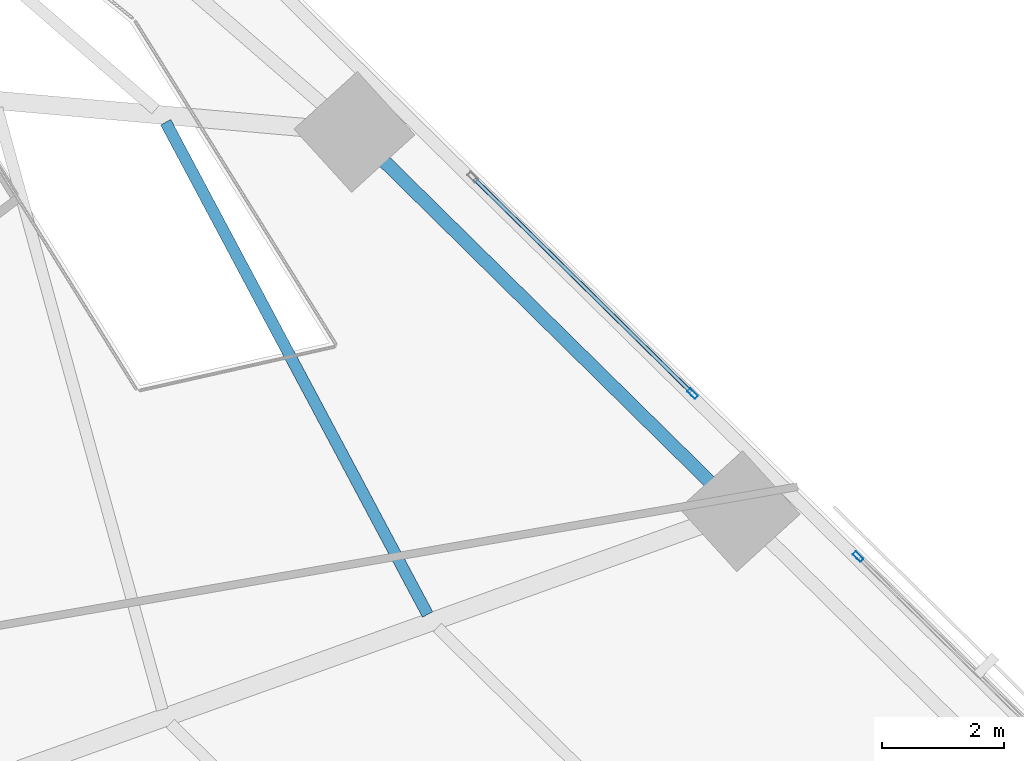
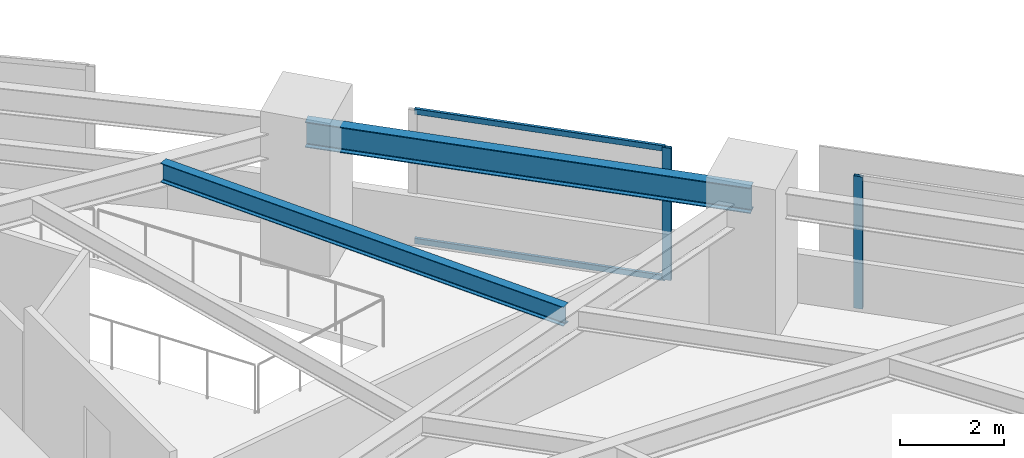
# One storey, part 6 of 17: 4 members, 2 beams, 2 elements without a shape of their own.
"""IFC4 building model written with IfcOpenShell, lengths in metres."""

from ifc_helpers import new_model, si_unit, direction, frame, origin, origin_2d, place, context, subcontext, project, spatial, hollow_rectangle, i_section, extrude, material, material_profile, profile_set, type_object, element, aggregate, save


model = new_model("IFC4")

# Units and contexts
model_context = context("Model", 3, precision=1e-05, world=origin(), true_north=direction((0.0, 1.0)))
body_context = subcontext(model_context, "Body", "Model", "MODEL_VIEW")
ifc_project = project(units=[si_unit("LENGTHUNIT", "METRE"), si_unit("AREAUNIT", "SQUARE_METRE"), si_unit("VOLUMEUNIT", "CUBIC_METRE"), si_unit("PLANEANGLEUNIT", "RADIAN"), si_unit("MASSUNIT", "GRAM", prefix="KILO")], contexts=[model_context])

# Site, building, storey
site_placement = place(None, origin())
site = spatial("IfcSite", under=ifc_project, at=site_placement, CompositionType="ELEMENT")
building_placement = place(site_placement, origin())
building = spatial("IfcBuilding", under=site, at=building_placement, Name="Narakoshi Arena Tower", CompositionType="ELEMENT")
storey_placement = place(building_placement, frame((0.0, 0.0, 55.5)))
storey = spatial("IfcBuildingStorey", under=building, at=storey_placement, Name="L14", CompositionType="ELEMENT", Elevation=55.5)

# Beams
ifc_material_1 = material(Name="Structural steel S355J2", Category="steel")
ifc_material_profile_1 = material_profile(ifc_material_1, i_section(OverallWidth=0.219970703125, OverallDepth=0.60009765625, WebThickness=0.011962890625, FlangeThickness=0.01904296875, FilletRadius=0.02392578125, at=origin_2d()), Name="IPE600")
ifc_profile_set_1 = profile_set([ifc_material_profile_1], Name="Structural steel S355J2")
beam_type_1 = type_object("IfcBeamType", Name="BM-EDGE-600", PredefinedType="BEAM", material=ifc_profile_set_1)
beam_1_placement = place(storey_placement, frame((102.345458984375, 49.373779296875, 2.800048828125), z_axis=(-0.712540689328, 0.70163079041, 0.0), x_axis=(-0.70163079041, -0.712540689328, 0.0)))
element("IfcBeam", 1, at=beam_1_placement, inside=storey, type_object=beam_type_1, Name="L14 Perimeter Edge Girder 07", PredefinedType="BEAM", context=body_context, shape_type="SweptSolid", body=[
    extrude(i_section(OverallWidth=0.219970703125, OverallDepth=0.60009765625, WebThickness=0.011962890625, FlangeThickness=0.01904296875, FilletRadius=0.02392578125, at=origin_2d()), origin(), (0.0, 0.0, 1.0), 8.83935546875),
])
ifc_material_profile_2 = material_profile(ifc_material_1, i_section(OverallWidth=0.18994140625, OverallDepth=0.449951171875, WebThickness=0.009521484375, FlangeThickness=0.0146484375, FilletRadius=0.02099609375, at=origin_2d()), Name="IPE450")
ifc_profile_set_2 = profile_set([ifc_material_profile_2], Name="Structural steel S355J2")
beam_type_2 = type_object("IfcBeamType", Name="BM-SEC-450", PredefinedType="JOIST", material=ifc_profile_set_2)
beam_2_placement = place(storey_placement, frame((97.243408203125, 47.685791015625, 2.875), z_axis=(-0.469726223078, 0.882812140465, 0.0), x_axis=(-0.882812140465, -0.469726223078, 0.0)))
element("IfcBeam", 2, at=beam_2_placement, inside=storey, type_object=beam_type_2, Name="L14 Composite Secondary Floor Joist 08", PredefinedType="JOIST", context=body_context, shape_type="SweptSolid", body=[
    extrude(i_section(OverallWidth=0.18994140625, OverallDepth=0.449951171875, WebThickness=0.009521484375, FlangeThickness=0.0146484375, FilletRadius=0.02099609375, at=origin_2d()), origin(), (0.0, 0.0, 1.0), 9.116455078125),
])

# Curtain wall, member
ifc_material_2 = material(Name="Anodised bronze aluminium 6063-T6", Category="aluminium")
curtain_wall_type = type_object("IfcCurtainWallType", Name="CW-HYP-LOW", PredefinedType="NOTDEFINED", material=ifc_material_2)
curtain_wall_1_placement = place(storey_placement, origin())
curtain_wall_1 = element("IfcCurtainWall", 3, at=curtain_wall_1_placement, inside=storey, type_object=curtain_wall_type, Name="L14 Folded Hypotenuse Curtain Wall 1-3", PredefinedType="NOTDEFINED")
ifc_material_profile_3 = material_profile(ifc_material_2, hollow_rectangle(XDim=0.074951171875, YDim=0.179931640625, WallThickness=0.00390625, OuterFilletRadius=0.0048828125, at=origin_2d()), Name="MUL180x75x4")
ifc_profile_set_3 = profile_set([ifc_material_profile_3], Name="Anodised bronze aluminium 6063-T6")
member_type_1 = type_object("IfcMemberType", Name="MEM-MUL-180", PredefinedType="MULLION", material=ifc_profile_set_3)
member_1_placement = place(storey_placement, frame((104.280517578125, 48.63330078125, 0.0), z_axis=(0.0, 0.0, 1.0), x_axis=(-0.701632802488, -0.712538708053, 0.0)))
member_1 = element("IfcMember", 4, at=member_1_placement, type_object=member_type_1, Name="CW-01 mullion 2", PredefinedType="MULLION", context=body_context, shape_type="SweptSolid", body=[
    extrude(hollow_rectangle(XDim=0.074951171875, YDim=0.179931640625, WallThickness=0.00390625, OuterFilletRadius=0.0048828125, at=origin_2d()), origin(), (0.0, 0.0, 1.0), 3.10009765625),
])
aggregate(curtain_wall_1, [member_1])

# Curtain wall, members
curtain_wall_2_placement = place(storey_placement, origin())
curtain_wall_2 = element("IfcCurtainWall", 5, at=curtain_wall_2_placement, inside=storey, type_object=curtain_wall_type, Name="L14 Folded Hypotenuse Curtain Wall 1-4", PredefinedType="NOTDEFINED")
member_2_placement = place(storey_placement, frame((101.574462890625, 51.2978515625, 0.0), z_axis=(0.0, 0.0, 1.0), x_axis=(-0.701632802488, -0.712538708053, 0.0)))
member_2 = element("IfcMember", 6, at=member_2_placement, type_object=member_type_1, Name="CW-01 mullion 1", PredefinedType="MULLION", context=body_context, shape_type="SweptSolid", body=[
    extrude(hollow_rectangle(XDim=0.074951171875, YDim=0.179931640625, WallThickness=0.00390625, OuterFilletRadius=0.0048828125, at=origin_2d()), origin(), (0.0, 0.0, 1.0), 3.10009765625),
])
ifc_material_profile_4 = material_profile(ifc_material_2, hollow_rectangle(XDim=0.06494140625, YDim=0.1298828125, WallThickness=0.00390625, OuterFilletRadius=0.0048828125, at=origin_2d()), Name="TRN130x65x4")
ifc_profile_set_4 = profile_set([ifc_material_profile_4], Name="Anodised bronze aluminium 6063-T6")
member_type_2 = type_object("IfcMemberType", Name="MEM-TRN-130", PredefinedType="USERDEFINED", material=ifc_profile_set_4)
member_3_placement = place(storey_placement, frame((101.547607421875, 51.32421875, 0.032470703125), z_axis=(-0.712542243067, 0.701629212508, 0.0), x_axis=(-0.701629212508, -0.712542243067, 0.0)))
member_3 = element("IfcMember", 7, at=member_3_placement, type_object=member_type_2, Name="CW-01 transom 1.1", ObjectType="TRANSOM", PredefinedType="USERDEFINED", context=body_context, shape_type="SweptSolid", body=[
    extrude(hollow_rectangle(XDim=0.06494140625, YDim=0.1298828125, WallThickness=0.00390625, OuterFilletRadius=0.0048828125, at=origin_2d()), origin(), (0.0, 0.0, 1.0), 4.966552734375),
])
member_4_placement = place(storey_placement, frame((101.547607421875, 51.32421875, 3.0673828125), z_axis=(-0.712542243067, 0.701629212508, 0.0), x_axis=(-0.701629212508, -0.712542243067, 0.0)))
member_4 = element("IfcMember", 8, at=member_4_placement, type_object=member_type_2, Name="CW-01 transom 1.2", ObjectType="TRANSOM", PredefinedType="USERDEFINED", context=body_context, shape_type="SweptSolid", body=[
    extrude(hollow_rectangle(XDim=0.06494140625, YDim=0.1298828125, WallThickness=0.00390625, OuterFilletRadius=0.0048828125, at=origin_2d()), origin(), (0.0, 0.0, 1.0), 4.966552734375),
])
aggregate(curtain_wall_2, [member_2, member_3, member_4])

save(model, "model.ifc")
